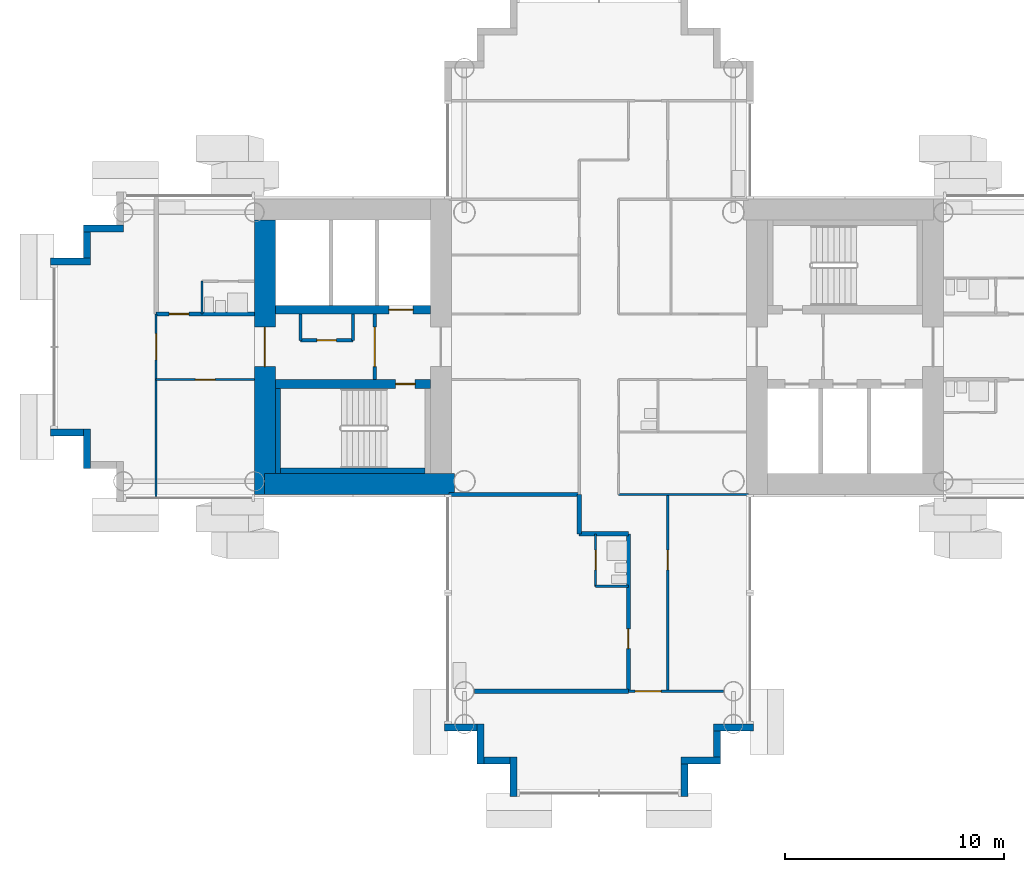
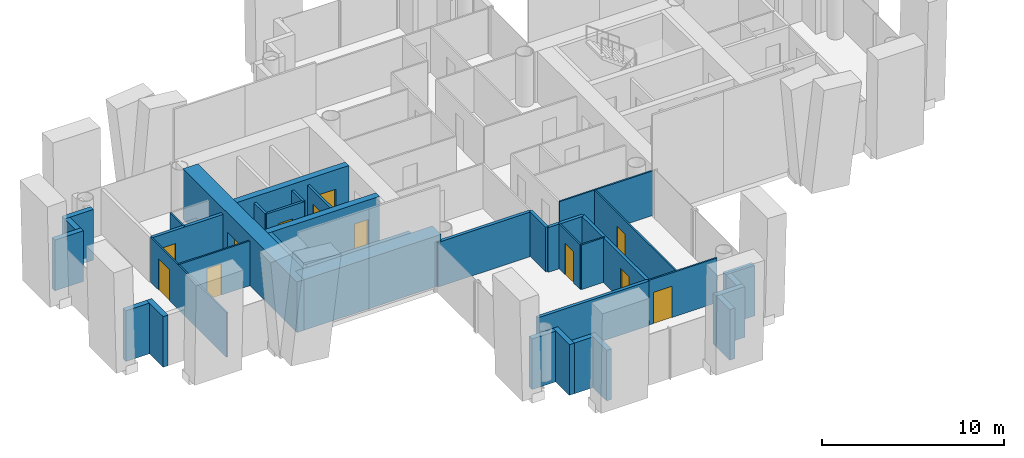
# One storey, part 8 of 20: 37 walls, 12 doors, 12 openings.
"""IFC4 building model written with IfcOpenShell, lengths in metres."""

from ifc_helpers import new_model, si_unit, direction, frame, frame_2d, origin, place, context, subcontext, project, spatial, rectangle, extrude, material, layer, layer_set, type_object, element, fill, save


model = new_model("IFC4")

# Units and contexts
model_context = context("Model", 3, precision=1e-05, world=origin(), true_north=direction((0.0, 1.0)))
body_context = subcontext(model_context, "Body", "Model", "MODEL_VIEW")
ifc_project = project(units=[si_unit("LENGTHUNIT", "METRE"), si_unit("AREAUNIT", "SQUARE_METRE"), si_unit("VOLUMEUNIT", "CUBIC_METRE"), si_unit("PLANEANGLEUNIT", "RADIAN"), si_unit("MASSUNIT", "GRAM", prefix="KILO")], contexts=[model_context])

# Site, building, storey
site_placement = place(None, origin())
site = spatial("IfcSite", under=ifc_project, at=site_placement, CompositionType="ELEMENT")
building_placement = place(site_placement, origin())
building = spatial("IfcBuilding", under=site, at=building_placement, Name="Ipe Terrace Towers", CompositionType="ELEMENT")
storey_placement = place(building_placement, frame((0.0, 0.0, 100.39990234375)))
storey = spatial("IfcBuildingStorey", under=building, at=storey_placement, Name="L27", CompositionType="ELEMENT", Elevation=100.39990234375)

# Walls
ifc_material_1 = material(Name="Concrete C40/50 with buff precast cladding", Category="concrete")
ifc_layer_1 = layer(ifc_material_1, 0.320068359375)
ifc_layer_set_1 = layer_set([ifc_layer_1], Name="BUFF CLADDING WALL 320")
wall_type_1 = type_object("IfcWallType", Name="BUFF CLADDING WALL 320", PredefinedType="STANDARD", material=ifc_layer_set_1)
wall_1_placement = place(storey_placement, frame((-61.070068359375, -3.909912109375, -0.2998046875), z_axis=(0.0, 0.0, 1.0), x_axis=(1.0, 0.0, 0.0)))
element("IfcWall", 1, at=wall_1_placement, inside=storey, type_object=wall_type_1, Name="T1-W-L27-00a wall", PredefinedType="STANDARD", context=body_context, shape_type="SweptSolid", body=[
    extrude(rectangle(XDim=1.5, YDim=0.320068359375, at=frame_2d((0.75, 0.0))), origin(), (0.0, 0.0, 1.0), 3.39990234375),
])
wall_2_placement = place(storey_placement, frame((-59.409912109375, -3.75, -0.2998046875), z_axis=(0.0, 0.0, 1.0), x_axis=(0.0, -1.0, 0.0)))
element("IfcWall", 2, at=wall_2_placement, inside=storey, type_object=wall_type_1, Name="T1-W-L27-01a wall", PredefinedType="STANDARD", context=body_context, shape_type="SweptSolid", body=[
    extrude(rectangle(XDim=1.820068359375, YDim=0.320068359375, at=frame_2d((0.91015625, 0.0))), origin(), (0.0, 0.0, 1.0), 3.39990234375),
])
wall_3_placement = place(storey_placement, frame((-43.070068359375, -17.409912109375, -0.2998046875), z_axis=(0.0, 0.0, 1.0), x_axis=(1.0, 0.0, 0.0)))
element("IfcWall", 3, at=wall_3_placement, inside=storey, type_object=wall_type_1, Name="T1-W-L27-08a wall", PredefinedType="STANDARD", context=body_context, shape_type="SweptSolid", body=[
    extrude(rectangle(XDim=1.5, YDim=0.320068359375, at=frame_2d((0.75, 0.0))), origin(), (0.0, 0.0, 1.0), 3.39990234375),
])
wall_4_placement = place(storey_placement, frame((-41.409912109375, -17.25, -0.2998046875), z_axis=(0.0, 0.0, 1.0), x_axis=(0.0, -1.0, 0.0)))
element("IfcWall", 4, at=wall_4_placement, inside=storey, type_object=wall_type_1, Name="T1-W-L27-09a wall", PredefinedType="STANDARD", context=body_context, shape_type="SweptSolid", body=[
    extrude(rectangle(XDim=1.820068359375, YDim=0.320068359375, at=frame_2d((0.91015625, 0.0))), origin(), (0.0, 0.0, 1.0), 3.39990234375),
])
wall_5_placement = place(storey_placement, frame((-41.25, -18.909912109375, -0.2998046875), z_axis=(0.0, 0.0, 1.0), x_axis=(1.0, 0.0, 0.0)))
element("IfcWall", 5, at=wall_5_placement, inside=storey, type_object=wall_type_1, Name="T1-W-L27-10a wall", PredefinedType="STANDARD", context=body_context, shape_type="SweptSolid", body=[
    extrude(rectangle(XDim=1.179931640625, YDim=0.320068359375, at=frame_2d((0.58984375, 0.0))), origin(), (0.0, 0.0, 1.0), 3.39990234375),
])
wall_6_placement = place(storey_placement, frame((-39.909912109375, -18.75, -0.2998046875), z_axis=(0.0, 0.0, 1.0), x_axis=(0.0, -1.0, 0.0)))
element("IfcWall", 6, at=wall_6_placement, inside=storey, type_object=wall_type_1, Name="T1-W-L27-11a wall", PredefinedType="STANDARD", context=body_context, shape_type="SweptSolid", body=[
    extrude(rectangle(XDim=1.820068359375, YDim=0.320068359375, at=frame_2d((0.91015625, 0.0))), origin(), (0.0, 0.0, 1.0), 3.39990234375),
])
wall_7_placement = place(storey_placement, frame((-32.090087890625, -20.570068359375, -0.2998046875), z_axis=(0.0, 0.0, 1.0), x_axis=(0.0, 1.0, 0.0)))
element("IfcWall", 7, at=wall_7_placement, inside=storey, type_object=wall_type_1, Name="T1-W-L27-13a wall", PredefinedType="STANDARD", context=body_context, shape_type="SweptSolid", body=[
    extrude(rectangle(XDim=1.5, YDim=0.320068359375, at=frame_2d((0.75, 0.0))), origin(), (0.0, 0.0, 1.0), 3.39990234375),
])
wall_8_placement = place(storey_placement, frame((-32.25, -18.909912109375, -0.2998046875), z_axis=(0.0, 0.0, 1.0), x_axis=(1.0, 0.0, 0.0)))
element("IfcWall", 8, at=wall_8_placement, inside=storey, type_object=wall_type_1, Name="T1-W-L27-14a wall", PredefinedType="STANDARD", context=body_context, shape_type="SweptSolid", body=[
    extrude(rectangle(XDim=1.820068359375, YDim=0.320068359375, at=frame_2d((0.91015625, 0.0))), origin(), (0.0, 0.0, 1.0), 3.39990234375),
])
wall_9_placement = place(storey_placement, frame((-30.590087890625, -18.75, -0.2998046875), z_axis=(0.0, 0.0, 1.0), x_axis=(0.0, 1.0, 0.0)))
element("IfcWall", 9, at=wall_9_placement, inside=storey, type_object=wall_type_1, Name="T1-W-L27-15a wall", PredefinedType="STANDARD", context=body_context, shape_type="SweptSolid", body=[
    extrude(rectangle(XDim=1.179931640625, YDim=0.320068359375, at=frame_2d((0.58984375, 0.0))), origin(), (0.0, 0.0, 1.0), 3.39990234375),
])
for number, where, z_axis, x_axis, name in (
    (10, (-30.75, -17.409912109375, -0.2998046875), (0.0, 0.0, 1.0), (1.0, 0.0, 0.0), "T1-W-L27-16a wall"),
    (11, (-57.75, 5.409912109375, -0.2998046875), (0.0, 0.0, 1.0), (-1.0, 0.0, 0.0), "T1-W-L27-48a wall"),
):
    element("IfcWall", number, at=place(storey_placement, frame(where, z_axis=z_axis, x_axis=x_axis)), inside=storey, type_object=wall_type_1, Name=name, PredefinedType="STANDARD", context=body_context, shape_type="SweptSolid", body=[
        extrude(rectangle(XDim=1.820068359375, YDim=0.320068359375, at=frame_2d((0.91015625, 0.0))), origin(), (0.0, 0.0, 1.0), 3.39990234375),
    ])
wall_10_placement = place(storey_placement, frame((-59.409912109375, 5.25, -0.2998046875), z_axis=(0.0, 0.0, 1.0), x_axis=(0.0, -1.0, 0.0)))
element("IfcWall", 12, at=wall_10_placement, inside=storey, type_object=wall_type_1, Name="T1-W-L27-49a wall", PredefinedType="STANDARD", context=body_context, shape_type="SweptSolid", body=[
    extrude(rectangle(XDim=1.179931640625, YDim=0.320068359375, at=frame_2d((0.58984375, 0.0))), origin(), (0.0, 0.0, 1.0), 3.39990234375),
])
wall_11_placement = place(storey_placement, frame((-59.25, 3.909912109375, -0.2998046875), z_axis=(0.0, 0.0, 1.0), x_axis=(-1.0, 0.0, 0.0)))
element("IfcWall", 13, at=wall_11_placement, inside=storey, type_object=wall_type_1, Name="T1-W-L27-50a wall", PredefinedType="STANDARD", context=body_context, shape_type="SweptSolid", body=[
    extrude(rectangle(XDim=1.820068359375, YDim=0.320068359375, at=frame_2d((0.91015625, 0.0))), origin(), (0.0, 0.0, 1.0), 3.39990234375),
])

# Wall, opening, door
ifc_material_2 = material(Name="Gypsum board partition", Category="plasterboard")
ifc_layer_2 = layer(ifc_material_2, 0.10009765625)
ifc_layer_set_2 = layer_set([ifc_layer_2], Name="Gypsum board partition 100 mm")
wall_type_2 = type_object("IfcWallType", Name="Gypsum board partition 100 mm", PredefinedType="PARTITIONING", material=ifc_layer_set_2)
wall_12_placement = place(storey_placement, frame((-56.25, -6.85009765625, 0.0), z_axis=(0.0, 0.0, 1.0), x_axis=(0.0, 1.0, 0.0)))
wall_12 = element("IfcWall", 14, at=wall_12_placement, inside=storey, type_object=wall_type_2, Name="Gypsum board partition T1 L27 W01", PredefinedType="PARTITIONING", context=body_context, shape_type="SweptSolid", body=[
    extrude(rectangle(XDim=8.35009765625, YDim=0.10009765625, at=frame_2d((4.175048828125, 0.0))), origin(), (0.0, 0.0, 1.0), 3.0),
])
opening_1_placement = place(wall_12_placement, frame((6.25, 0.0, 0.0)))
opening_1 = element("IfcOpeningElement", 15, at=opening_1_placement, cuts=wall_12, Name="Opening T1-Z2E-25", PredefinedType="OPENING", context=body_context, shape_type="SweptSolid", body=[
    extrude(rectangle(XDim=1.199951171875, YDim=2.10009765625, at=frame_2d((0.60009765625, 1.050048828125))), frame((0.0, 0.06005859375, 0.0), z_axis=(0.0, -1.0, 0.0), x_axis=(1.0, 0.0, 0.0)), (0.0, 0.0, 1.0), 0.1201171875),
])
ifc_material_3 = material(Name="Timber door leaf", Category="wood")
door_type_1 = type_object("IfcDoorType", Name="Lounge door 1200 x 2100", OperationType="NOTDEFINED", PredefinedType="DOOR", material=ifc_material_3)
door_1_placement = place(opening_1_placement, origin())
door_1 = element("IfcDoor", 16, at=door_1_placement, inside=storey, type_object=door_type_1, Name="Lounge door T1-Z2E-25", OperationType="SINGLE_SWING_LEFT", OverallHeight=2.10009765625, OverallWidth=1.199951171875, PredefinedType="DOOR", context=body_context, shape_type="SweptSolid", body=[
    extrude(rectangle(XDim=1.199951171875, YDim=2.10009765625, at=frame_2d((0.60009765625, 1.050048828125))), frame((0.0, 0.02490234375, 0.0), z_axis=(0.0, -1.0, 0.0), x_axis=(1.0, 0.0, 0.0)), (0.0, 0.0, 1.0), 0.050048828125),
])
fill(opening_1, door_1)

# Wall
wall_13_placement = place(storey_placement, frame((-54.14990234375, 1.5, 0.0), z_axis=(0.0, 0.0, 1.0), x_axis=(0.0, 1.0, 0.0)))
element("IfcWall", 17, at=wall_13_placement, inside=storey, type_object=wall_type_2, Name="Gypsum board partition T1 L27 W03", PredefinedType="PARTITIONING", context=body_context, shape_type="SweptSolid", body=[
    extrude(rectangle(XDim=1.5, YDim=0.10009765625, at=frame_2d((0.75, 0.0))), origin(), (0.0, 0.0, 1.0), 3.0),
])

# Wall, opening, door
wall_14_placement = place(storey_placement, frame((-36.14990234375, -10.949951171875, 0.0), z_axis=(0.0, 0.0, 1.0), x_axis=(0.0, 1.0, 0.0)))
wall_14 = element("IfcWall", 18, at=wall_14_placement, inside=storey, type_object=wall_type_2, Name="Gypsum board partition T1 L27 W07", PredefinedType="PARTITIONING", context=body_context, shape_type="SweptSolid", body=[
    extrude(rectangle(XDim=2.39990234375, YDim=0.10009765625, at=frame_2d((1.199951171875, 0.0))), origin(), (0.0, 0.0, 1.0), 3.0),
])
opening_2_placement = place(wall_14_placement, frame((0.75, 0.0, 0.0)))
opening_2 = element("IfcOpeningElement", 19, at=opening_2_placement, cuts=wall_14, Name="Opening T1-Z2E-14", PredefinedType="OPENING", context=body_context, shape_type="SweptSolid", body=[
    extrude(rectangle(XDim=0.89990234375, YDim=2.10009765625, at=frame_2d((0.449951171875, 1.050048828125))), frame((0.0, 0.06005859375, 0.0), z_axis=(0.0, -1.0, 0.0), x_axis=(1.0, 0.0, 0.0)), (0.0, 0.0, 1.0), 0.1201171875),
])
ifc_material_4 = material(Name="Timber door leaf", Category="wood")
door_type_2 = type_object("IfcDoorType", Name="Bathroom door 900 x 2100", OperationType="NOTDEFINED", PredefinedType="DOOR", material=ifc_material_4)
door_2_placement = place(opening_2_placement, origin())
door_2 = element("IfcDoor", 20, at=door_2_placement, inside=storey, type_object=door_type_2, Name="Bathroom door T1-Z2E-14", OperationType="SINGLE_SWING_RIGHT", OverallHeight=2.10009765625, OverallWidth=0.89990234375, PredefinedType="DOOR", context=body_context, shape_type="SweptSolid", body=[
    extrude(rectangle(XDim=0.89990234375, YDim=2.10009765625, at=frame_2d((0.449951171875, 1.050048828125))), frame((0.0, 0.02490234375, 0.0), z_axis=(0.0, -1.0, 0.0), x_axis=(1.0, 0.0, 0.0)), (0.0, 0.0, 1.0), 0.050048828125),
])
fill(opening_2, door_2)

wall_15_placement = place(storey_placement, frame((-32.85009765625, -15.75, 0.0), z_axis=(0.0, 0.0, 1.0), x_axis=(0.0, 1.0, 0.0)))
wall_15 = element("IfcWall", 21, at=wall_15_placement, inside=storey, type_object=wall_type_2, Name="Gypsum board partition T1 L27 W13", PredefinedType="PARTITIONING", context=body_context, shape_type="SweptSolid", body=[
    extrude(rectangle(XDim=9.0, YDim=0.10009765625, at=frame_2d((4.5, 0.0))), origin(), (0.0, 0.0, 1.0), 3.0),
])
opening_3_placement = place(wall_15_placement, frame((5.550048828125, 0.0, 0.0)))
opening_3 = element("IfcOpeningElement", 22, at=opening_3_placement, cuts=wall_15, Name="Opening T1-Z2E-12", PredefinedType="OPENING", context=body_context, shape_type="SweptSolid", body=[
    extrude(rectangle(XDim=0.89990234375, YDim=2.10009765625, at=frame_2d((0.449951171875, 1.050048828125))), frame((0.0, 0.06005859375, 0.0), z_axis=(0.0, -1.0, 0.0), x_axis=(1.0, 0.0, 0.0)), (0.0, 0.0, 1.0), 0.1201171875),
])
ifc_material_5 = material(Name="Timber door leaf", Category="wood")
door_type_3 = type_object("IfcDoorType", Name="Lounge door 900 x 2100", OperationType="NOTDEFINED", PredefinedType="DOOR", material=ifc_material_5)
door_3_placement = place(opening_3_placement, origin())
door_3 = element("IfcDoor", 23, at=door_3_placement, inside=storey, type_object=door_type_3, Name="Lounge door T1-Z2E-12", OperationType="SINGLE_SWING_RIGHT", OverallHeight=2.10009765625, OverallWidth=0.89990234375, PredefinedType="DOOR", context=body_context, shape_type="SweptSolid", body=[
    extrude(rectangle(XDim=0.89990234375, YDim=2.10009765625, at=frame_2d((0.449951171875, 1.050048828125))), frame((0.0, 0.02490234375, 0.0), z_axis=(0.0, -1.0, 0.0), x_axis=(1.0, 0.0, 0.0)), (0.0, 0.0, 1.0), 0.050048828125),
])
fill(opening_3, door_3)

wall_16_placement = place(storey_placement, frame((-34.64990234375, -15.75, 0.0), z_axis=(0.0, 0.0, 1.0), x_axis=(1.0, 0.0, 0.0)))
wall_16 = element("IfcWall", 24, at=wall_16_placement, inside=storey, type_object=wall_type_2, Name="Gypsum board partition T1 L27 W21", PredefinedType="PARTITIONING", context=body_context, shape_type="SweptSolid", body=[
    extrude(rectangle(XDim=4.349853515625, YDim=0.10009765625, at=frame_2d((2.1748046875, 0.0))), origin(), (0.0, 0.0, 1.0), 3.0),
])
opening_4_placement = place(wall_16_placement, frame((0.300048828125, 0.0, 0.0)))
opening_4 = element("IfcOpeningElement", 25, at=opening_4_placement, cuts=wall_16, Name="Opening T1-Z2E-15", PredefinedType="OPENING", context=body_context, shape_type="SweptSolid", body=[
    extrude(rectangle(XDim=1.199951171875, YDim=2.10009765625, at=frame_2d((0.60009765625, 1.050048828125))), frame((0.0, 0.06005859375, 0.0), z_axis=(0.0, -1.0, 0.0), x_axis=(1.0, 0.0, 0.0)), (0.0, 0.0, 1.0), 0.1201171875),
])
door_4_placement = place(opening_4_placement, origin())
door_4 = element("IfcDoor", 26, at=door_4_placement, inside=storey, type_object=door_type_1, Name="Lounge door T1-Z2E-15", OperationType="SINGLE_SWING_LEFT", OverallHeight=2.10009765625, OverallWidth=1.199951171875, PredefinedType="DOOR", context=body_context, shape_type="SweptSolid", body=[
    extrude(rectangle(XDim=1.199951171875, YDim=2.10009765625, at=frame_2d((0.60009765625, 1.050048828125))), frame((0.0, 0.02490234375, 0.0), z_axis=(0.0, -1.0, 0.0), x_axis=(1.0, 0.0, 0.0)), (0.0, 0.0, 1.0), 0.050048828125),
])
fill(opening_4, door_4)

# Walls
wall_17_placement = place(storey_placement, frame((-36.14990234375, -10.949951171875, 0.0), z_axis=(0.0, 0.0, 1.0), x_axis=(1.0, 0.0, 0.0)))
element("IfcWall", 27, at=wall_17_placement, inside=storey, type_object=wall_type_2, Name="Gypsum board partition T1 L27 W23", PredefinedType="PARTITIONING", context=body_context, shape_type="SweptSolid", body=[
    extrude(rectangle(XDim=1.5, YDim=0.10009765625, at=frame_2d((0.75, 0.0))), origin(), (0.0, 0.0, 1.0), 3.0),
])
wall_18_placement = place(storey_placement, frame((-35.10009765625, -6.75, 0.0), z_axis=(0.0, 0.0, 1.0), x_axis=(1.0, 0.0, 0.0)))
element("IfcWall", 28, at=wall_18_placement, inside=storey, type_object=wall_type_2, Name="Gypsum board partition T1 L27 W25", PredefinedType="PARTITIONING", context=body_context, shape_type="SweptSolid", body=[
    extrude(rectangle(XDim=5.9501953125, YDim=0.10009765625, at=frame_2d((2.97509765625, 0.0))), origin(), (0.0, 0.0, 1.0), 3.0),
])

# Wall, opening, door
wall_19_placement = place(storey_placement, frame((-56.25, -1.5, 0.0), z_axis=(0.0, 0.0, 1.0), x_axis=(1.0, 0.0, 0.0)))
wall_19 = element("IfcWall", 29, at=wall_19_placement, inside=storey, type_object=wall_type_2, Name="Gypsum board partition T1 L27 W29", PredefinedType="PARTITIONING", context=body_context, shape_type="SweptSolid", body=[
    extrude(rectangle(XDim=4.5, YDim=0.10009765625, at=frame_2d((2.25, 0.0))), origin(), (0.0, 0.0, 1.0), 3.0),
])
opening_5_placement = place(wall_19_placement, frame((1.800048828125, 0.0, 0.0)))
opening_5 = element("IfcOpeningElement", 30, at=opening_5_placement, cuts=wall_19, Name="Opening T1-Z2E-22", PredefinedType="OPENING", context=body_context, shape_type="SweptSolid", body=[
    extrude(rectangle(XDim=0.89990234375, YDim=2.10009765625, at=frame_2d((0.449951171875, 1.050048828125))), frame((0.0, 0.06005859375, 0.0), z_axis=(0.0, -1.0, 0.0), x_axis=(1.0, 0.0, 0.0)), (0.0, 0.0, 1.0), 0.1201171875),
])
door_5_placement = place(opening_5_placement, origin())
door_5 = element("IfcDoor", 31, at=door_5_placement, inside=storey, type_object=door_type_3, Name="Lounge door T1-Z2E-22", OperationType="SINGLE_SWING_RIGHT", OverallHeight=2.10009765625, OverallWidth=0.89990234375, PredefinedType="DOOR", context=body_context, shape_type="SweptSolid", body=[
    extrude(rectangle(XDim=0.89990234375, YDim=2.10009765625, at=frame_2d((0.449951171875, 1.050048828125))), frame((0.0, 0.02490234375, 0.0), z_axis=(0.0, -1.0, 0.0), x_axis=(1.0, 0.0, 0.0)), (0.0, 0.0, 1.0), 0.050048828125),
])
fill(opening_5, door_5)

ifc_material_6 = material(Name="Gypsum board partition", Category="plasterboard")
ifc_layer_3 = layer(ifc_material_6, 0.14990234375)
ifc_layer_set_3 = layer_set([ifc_layer_3], Name="Gypsum board partition 150 mm")
wall_type_3 = type_object("IfcWallType", Name="Gypsum board partition 150 mm", PredefinedType="PARTITIONING", material=ifc_layer_set_3)
wall_20_placement = place(storey_placement, frame((-46.25, 1.5, 0.0), z_axis=(0.0, 0.0, 1.0), x_axis=(0.0, -1.0, 0.0)))
wall_20 = element("IfcWall", 32, at=wall_20_placement, inside=storey, type_object=wall_type_3, Name="Gypsum board partition T1 L27 t1c2-lobby-wall", PredefinedType="PARTITIONING", context=body_context, shape_type="SweptSolid", body=[
    extrude(rectangle(XDim=3.0, YDim=0.14990234375, at=frame_2d((1.5, 0.0))), origin(), (0.0, 0.0, 1.0), 3.0),
])
opening_6_placement = place(wall_20_placement, frame((0.60009765625, 0.0, 0.0)))
opening_6 = element("IfcOpeningElement", 33, at=opening_6_placement, cuts=wall_20, Name="Opening T1C2-VD", PredefinedType="OPENING", context=body_context, shape_type="SweptSolid", body=[
    extrude(rectangle(XDim=1.800048828125, YDim=2.10009765625, at=frame_2d((0.89990234375, 1.050048828125))), frame((0.0, 0.0849609375, 0.0), z_axis=(0.0, -1.0, 0.0), x_axis=(1.0, 0.0, 0.0)), (0.0, 0.0, 1.0), 0.169921875),
])
ifc_material_7 = material(Name="Fire-rated timber door leaf", Category="wood")
door_type_4 = type_object("IfcDoorType", Name="Lobby door 1800 x 2100 FD60", OperationType="NOTDEFINED", PredefinedType="DOOR", material=ifc_material_7)
door_6_placement = place(opening_6_placement, origin())
door_6 = element("IfcDoor", 34, at=door_6_placement, inside=storey, type_object=door_type_4, Name="Lobby door T1C2-VD", OperationType="SINGLE_SWING_LEFT", OverallHeight=2.10009765625, OverallWidth=1.800048828125, PredefinedType="DOOR", context=body_context, shape_type="SweptSolid", body=[
    extrude(rectangle(XDim=1.800048828125, YDim=2.10009765625, at=frame_2d((0.89990234375, 1.050048828125))), frame((0.0, 0.02490234375, 0.0), z_axis=(0.0, -1.0, 0.0), x_axis=(1.0, 0.0, 0.0)), (0.0, 0.0, 1.0), 0.050048828125),
])
fill(opening_6, door_6)

wall_21_placement = place(storey_placement, frame((-47.25, 0.300048828125, 0.0), z_axis=(0.0, 0.0, 1.0), x_axis=(-1.0, 0.0, 0.0)))
wall_21 = element("IfcWall", 35, at=wall_21_placement, inside=storey, type_object=wall_type_3, Name="Gypsum board partition T1 L27 t1c2-cup-s-f", PredefinedType="PARTITIONING", context=body_context, shape_type="SweptSolid", body=[
    extrude(rectangle(XDim=2.39990234375, YDim=0.14990234375, at=frame_2d((1.199951171875, 0.0))), origin(), (0.0, 0.0, 1.0), 3.0),
])
opening_7_placement = place(wall_21_placement, frame((0.75, 0.0, 0.0)))
opening_7 = element("IfcOpeningElement", 36, at=opening_7_placement, cuts=wall_21, Name="Opening T1C2-SC", PredefinedType="OPENING", context=body_context, shape_type="SweptSolid", body=[
    extrude(rectangle(XDim=0.89990234375, YDim=2.10009765625, at=frame_2d((0.449951171875, 1.050048828125))), frame((0.0, 0.0849609375, 0.0), z_axis=(0.0, -1.0, 0.0), x_axis=(1.0, 0.0, 0.0)), (0.0, 0.0, 1.0), 0.169921875),
])
ifc_material_8 = material(Name="Fire-rated timber door leaf", Category="wood")
door_type_5 = type_object("IfcDoorType", Name="Service door 900 x 2100 FD30S", OperationType="NOTDEFINED", PredefinedType="DOOR", material=ifc_material_8)
door_7_placement = place(opening_7_placement, origin())
door_7 = element("IfcDoor", 37, at=door_7_placement, inside=storey, type_object=door_type_5, Name="Service door T1C2-SC", OperationType="SINGLE_SWING_LEFT", OverallHeight=2.10009765625, OverallWidth=0.89990234375, PredefinedType="DOOR", context=body_context, shape_type="SweptSolid", body=[
    extrude(rectangle(XDim=0.89990234375, YDim=2.10009765625, at=frame_2d((0.449951171875, 1.050048828125))), frame((0.0, 0.02490234375, 0.0), z_axis=(0.0, -1.0, 0.0), x_axis=(1.0, 0.0, 0.0)), (0.0, 0.0, 1.0), 0.050048828125),
])
fill(opening_7, door_7)

# Walls
for number, where, z_axis, x_axis, name in (
    (38, (-47.25, 0.300048828125, 0.0), (0.0, 0.0, 1.0), (0.0, 1.0, 0.0), "Gypsum board partition T1 L27 t1c2-cup-s-a"),
    (39, (-49.64990234375, 0.300048828125, 0.0), (0.0, 0.0, 1.0), (0.0, 1.0, 0.0), "Gypsum board partition T1 L27 t1c2-cup-s-b"),
):
    element("IfcWall", number, at=place(storey_placement, frame(where, z_axis=z_axis, x_axis=x_axis)), inside=storey, type_object=wall_type_3, Name=name, PredefinedType="PARTITIONING", context=body_context, shape_type="SweptSolid", body=[
        extrude(rectangle(XDim=1.199951171875, YDim=0.14990234375, at=frame_2d((0.60009765625, 0.0))), origin(), (0.0, 0.0, 1.0), 3.0),
    ])
ifc_material_9 = material(Name="Gypsum board party wall", Category="plasterboard")
ifc_layer_4 = layer(ifc_material_9, 0.199951171875)
ifc_layer_set_4 = layer_set([ifc_layer_4], Name="Gypsum board party wall 200 mm")
wall_type_4 = type_object("IfcWallType", Name="Gypsum board party wall 200 mm", PredefinedType="SOLIDWALL", material=ifc_layer_set_4)
wall_22_placement = place(storey_placement, frame((-36.89990234375, -8.550048828125, 0.0), z_axis=(0.0, 0.0, 1.0), x_axis=(0.0, 1.0, 0.0)))
element("IfcWall", 40, at=wall_22_placement, inside=storey, type_object=wall_type_4, Name="Gypsum board party wall T1 L27 W06", PredefinedType="SOLIDWALL", context=body_context, shape_type="SweptSolid", body=[
    extrude(rectangle(XDim=1.800048828125, YDim=0.199951171875, at=frame_2d((0.89990234375, 0.0))), origin(), (0.0, 0.0, 1.0), 3.0),
])

# Wall, opening, door
wall_23_placement = place(storey_placement, frame((-34.64990234375, -15.75, 0.0), z_axis=(0.0, 0.0, 1.0), x_axis=(0.0, 1.0, 0.0)))
wall_23 = element("IfcWall", 41, at=wall_23_placement, inside=storey, type_object=wall_type_4, Name="Gypsum board party wall T1 L27 W11", PredefinedType="SOLIDWALL", context=body_context, shape_type="SweptSolid", body=[
    extrude(rectangle(XDim=7.199951171875, YDim=0.199951171875, at=frame_2d((3.60009765625, 0.0))), origin(), (0.0, 0.0, 1.0), 3.0),
])
opening_8_placement = place(wall_23_placement, frame((1.949951171875, 0.0, 0.0)))
opening_8 = element("IfcOpeningElement", 42, at=opening_8_placement, cuts=wall_23, Name="Opening T1-Z2E-13", PredefinedType="OPENING", context=body_context, shape_type="SweptSolid", body=[
    extrude(rectangle(XDim=0.89990234375, YDim=2.10009765625, at=frame_2d((0.449951171875, 1.050048828125))), frame((0.0, 0.10986328125, 0.0), z_axis=(0.0, -1.0, 0.0), x_axis=(1.0, 0.0, 0.0)), (0.0, 0.0, 1.0), 0.219970703125),
])
ifc_material_10 = material(Name="Fire-rated timber door leaf", Category="wood")
door_type_6 = type_object("IfcDoorType", Name="Flat entrance door 900 x 2100 FD30S", OperationType="NOTDEFINED", PredefinedType="DOOR", material=ifc_material_10)
door_8_placement = place(opening_8_placement, origin())
door_8 = element("IfcDoor", 43, at=door_8_placement, inside=storey, type_object=door_type_6, Name="Flat entrance door T1-Z2E-13", OperationType="SINGLE_SWING_RIGHT", OverallHeight=2.10009765625, OverallWidth=0.89990234375, PredefinedType="DOOR", context=body_context, shape_type="SweptSolid", body=[
    extrude(rectangle(XDim=0.89990234375, YDim=2.10009765625, at=frame_2d((0.449951171875, 1.050048828125))), frame((0.0, 0.02490234375, 0.0), z_axis=(0.0, -1.0, 0.0), x_axis=(1.0, 0.0, 0.0)), (0.0, 0.0, 1.0), 0.050048828125),
])
fill(opening_8, door_8)

# Walls
wall_24_placement = place(storey_placement, frame((-41.699951171875, -15.75, 0.0), z_axis=(0.0, 0.0, 1.0), x_axis=(1.0, 0.0, 0.0)))
element("IfcWall", 44, at=wall_24_placement, inside=storey, type_object=wall_type_4, Name="Gypsum board party wall T1 L27 W22", PredefinedType="SOLIDWALL", context=body_context, shape_type="SweptSolid", body=[
    extrude(rectangle(XDim=7.050048828125, YDim=0.199951171875, at=frame_2d((3.52490234375, 0.0))), origin(), (0.0, 0.0, 1.0), 3.0),
])
wall_25_placement = place(storey_placement, frame((-36.89990234375, -8.550048828125, 0.0), z_axis=(0.0, 0.0, 1.0), x_axis=(1.0, 0.0, 0.0)))
element("IfcWall", 45, at=wall_25_placement, inside=storey, type_object=wall_type_4, Name="Gypsum board party wall T1 L27 W24", PredefinedType="SOLIDWALL", context=body_context, shape_type="SweptSolid", body=[
    extrude(rectangle(XDim=2.25, YDim=0.199951171875, at=frame_2d((1.125, 0.0))), origin(), (0.0, 0.0, 1.0), 3.0),
])
wall_26_placement = place(storey_placement, frame((-42.85009765625, -6.75, 0.0), z_axis=(0.0, 0.0, 1.0), x_axis=(1.0, 0.0, 0.0)))
element("IfcWall", 46, at=wall_26_placement, inside=storey, type_object=wall_type_4, Name="Gypsum board party wall T1 L27 W26", PredefinedType="SOLIDWALL", context=body_context, shape_type="SweptSolid", body=[
    extrude(rectangle(XDim=5.9501953125, YDim=0.199951171875, at=frame_2d((2.97509765625, 0.0))), origin(), (0.0, 0.0, 1.0), 3.0),
])

# Wall, opening, door
wall_27_placement = place(storey_placement, frame((-56.25, 1.5, 0.0), z_axis=(0.0, 0.0, 1.0), x_axis=(1.0, 0.0, 0.0)))
wall_27 = element("IfcWall", 47, at=wall_27_placement, inside=storey, type_object=wall_type_4, Name="Gypsum board party wall T1 L27 W35", PredefinedType="SOLIDWALL", context=body_context, shape_type="SweptSolid", body=[
    extrude(rectangle(XDim=4.5, YDim=0.199951171875, at=frame_2d((2.25, 0.0))), origin(), (0.0, 0.0, 1.0), 3.0),
])
opening_9_placement = place(wall_27_placement, frame((0.60009765625, 0.0, 0.0)))
opening_9 = element("IfcOpeningElement", 48, at=opening_9_placement, cuts=wall_27, Name="Opening T1-Z2E-23", PredefinedType="OPENING", context=body_context, shape_type="SweptSolid", body=[
    extrude(rectangle(XDim=0.89990234375, YDim=2.10009765625, at=frame_2d((0.449951171875, 1.050048828125))), frame((0.0, 0.10986328125, 0.0), z_axis=(0.0, -1.0, 0.0), x_axis=(1.0, 0.0, 0.0)), (0.0, 0.0, 1.0), 0.219970703125),
])
door_9_placement = place(opening_9_placement, origin())
door_9 = element("IfcDoor", 49, at=door_9_placement, inside=storey, type_object=door_type_6, Name="Flat entrance door T1-Z2E-23", OperationType="SINGLE_SWING_RIGHT", OverallHeight=2.10009765625, OverallWidth=0.89990234375, PredefinedType="DOOR", context=body_context, shape_type="SweptSolid", body=[
    extrude(rectangle(XDim=0.89990234375, YDim=2.10009765625, at=frame_2d((0.449951171875, 1.050048828125))), frame((0.0, 0.02490234375, 0.0), z_axis=(0.0, -1.0, 0.0), x_axis=(1.0, 0.0, 0.0)), (0.0, 0.0, 1.0), 0.050048828125),
])
fill(opening_9, door_9)

# Walls
ifc_material_11 = material(Name="Concrete C50/60", Category="concrete")
ifc_layer_5 = layer(ifc_material_11, 0.25)
ifc_layer_set_5 = layer_set([ifc_layer_5], Name="RW250 CORE INFILL WALL 250 C50-60")
wall_type_5 = type_object("IfcWallType", Name="RW250 CORE INFILL WALL 250 C50-60", PredefinedType="SHEAR", material=ifc_layer_set_5)
wall_28_placement = place(storey_placement, frame((-50.675048828125, -1.89990234375, 0.0), z_axis=(0.0, 0.0, 1.0), x_axis=(0.0, -1.0, 0.0)))
element("IfcWall", 50, at=wall_28_placement, inside=storey, type_object=wall_type_5, Name="Core infill wall T1-C2-far", PredefinedType="SHEAR", context=body_context, shape_type="SweptSolid", body=[
    extrude(rectangle(XDim=3.900146484375, YDim=0.25, at=frame_2d((1.9501953125, 0.0))), origin(), (0.0, 0.0, 1.0), 3.400146484375),
])
wall_29_placement = place(storey_placement, frame((-43.949951171875, -5.675048828125, 0.0), z_axis=(0.0, 0.0, 1.0), x_axis=(-1.0, 0.0, 0.0)))
element("IfcWall", 51, at=wall_29_placement, inside=storey, type_object=wall_type_5, Name="Core infill wall T1-C2-back", PredefinedType="SHEAR", context=body_context, shape_type="SweptSolid", body=[
    extrude(rectangle(XDim=6.60009765625, YDim=0.25, at=frame_2d((3.300048828125, 0.0))), origin(), (0.0, 0.0, 1.0), 3.400146484375),
])

# Wall, opening, door
ifc_material_12 = material(Name="Concrete C50/60", Category="concrete")
ifc_layer_6 = layer(ifc_material_12, 0.39990234375)
ifc_layer_set_6 = layer_set([ifc_layer_6], Name="RW400 CORE SPINE WALL 400 C50-60")
wall_type_6 = type_object("IfcWallType", Name="RW400 CORE SPINE WALL 400 C50-60", PredefinedType="SHEAR", material=ifc_layer_set_6)
wall_30_placement = place(storey_placement, frame((-50.800048828125, -1.699951171875, 0.0), z_axis=(0.0, 0.0, 1.0), x_axis=(1.0, 0.0, 0.0)))
wall_30 = element("IfcWall", 52, at=wall_30_placement, inside=storey, type_object=wall_type_6, Name="Core spine wall T1-C2-Z2-SW1", PredefinedType="SHEAR", context=body_context, shape_type="SweptSolid", body=[
    extrude(rectangle(XDim=7.10009765625, YDim=0.39990234375, at=frame_2d((3.550048828125, 0.0))), origin(), (0.0, 0.0, 1.0), 3.400146484375),
])
opening_10_placement = place(wall_30_placement, frame((5.5, 0.0, 0.0)))
opening_10 = element("IfcOpeningElement", 53, at=opening_10_placement, cuts=wall_30, Name="Opening T1C2-SD", PredefinedType="OPENING", context=body_context, shape_type="SweptSolid", body=[
    extrude(rectangle(XDim=0.89990234375, YDim=2.10009765625, at=frame_2d((0.449951171875, 1.050048828125))), frame((0.0, 0.2099609375, 0.0), z_axis=(0.0, -1.0, 0.0), x_axis=(1.0, 0.0, 0.0)), (0.0, 0.0, 1.0), 0.419921875),
])
ifc_material_13 = material(Name="Fire-rated timber door leaf", Category="wood")
door_type_7 = type_object("IfcDoorType", Name="Stair door 900 x 2100 FD60", OperationType="NOTDEFINED", PredefinedType="DOOR", material=ifc_material_13)
door_10_placement = place(opening_10_placement, origin())
door_10 = element("IfcDoor", 54, at=door_10_placement, inside=storey, type_object=door_type_7, Name="Stair door T1C2-SD", OperationType="SINGLE_SWING_RIGHT", OverallHeight=2.10009765625, OverallWidth=0.89990234375, PredefinedType="DOOR", context=body_context, shape_type="SweptSolid", body=[
    extrude(rectangle(XDim=0.89990234375, YDim=2.10009765625, at=frame_2d((0.449951171875, 1.050048828125))), frame((0.0, 0.02490234375, 0.0), z_axis=(0.0, -1.0, 0.0), x_axis=(1.0, 0.0, 0.0)), (0.0, 0.0, 1.0), 0.050048828125),
])
fill(opening_10, door_10)

wall_31_placement = place(storey_placement, frame((-50.800048828125, 1.699951171875, 0.0), z_axis=(0.0, 0.0, 1.0), x_axis=(1.0, 0.0, 0.0)))
wall_31 = element("IfcWall", 55, at=wall_31_placement, inside=storey, type_object=wall_type_6, Name="Core spine wall T1-C2-Z2-SW2", PredefinedType="SHEAR", context=body_context, shape_type="SweptSolid", body=[
    extrude(rectangle(XDim=7.10009765625, YDim=0.39990234375, at=frame_2d((3.550048828125, 0.0))), origin(), (0.0, 0.0, 1.0), 3.400146484375),
])
opening_11_placement = place(wall_31_placement, frame((5.199951171875, 0.0, 0.0)))
opening_11 = element("IfcOpeningElement", 56, at=opening_11_placement, cuts=wall_31, Name="Opening T1C2-LD1", PredefinedType="OPENING", context=body_context, shape_type="SweptSolid", body=[
    extrude(rectangle(XDim=1.10009765625, YDim=2.10009765625, at=frame_2d((0.550048828125, 1.050048828125))), frame((0.0, 0.2099609375, 0.0), z_axis=(0.0, -1.0, 0.0), x_axis=(1.0, 0.0, 0.0)), (0.0, 0.0, 1.0), 0.419921875),
])
ifc_material_14 = material(Name="Fire-rated timber door leaf", Category="wood")
door_type_8 = type_object("IfcDoorType", Name="Sliding door 1100 x 2100 FD60", OperationType="SLIDING_TO_LEFT", PredefinedType="DOOR", material=ifc_material_14)
door_11_placement = place(opening_11_placement, origin())
door_11 = element("IfcDoor", 57, at=door_11_placement, inside=storey, type_object=door_type_8, Name="Sliding door T1C2-LD1", OperationType="SLIDING_TO_LEFT", OverallHeight=2.10009765625, OverallWidth=1.10009765625, PredefinedType="DOOR", context=body_context, shape_type="SweptSolid", body=[
    extrude(rectangle(XDim=1.10009765625, YDim=2.10009765625, at=frame_2d((0.550048828125, 1.050048828125))), frame((0.0, 0.02490234375, 0.0), z_axis=(0.0, -1.0, 0.0), x_axis=(1.0, 0.0, 0.0)), (0.0, 0.0, 1.0), 0.050048828125),
])
fill(opening_11, door_11)

# Wall
ifc_material_15 = material(Name="Concrete C50/60", Category="concrete")
ifc_layer_7 = layer(ifc_material_15, 0.949951171875)
ifc_layer_set_7 = layer_set([ifc_layer_7], Name="RW950 CORE WALL 950 C50-60")
wall_type_7 = type_object("IfcWallType", Name="RW950 CORE WALL 950 C50-60", PredefinedType="SHEAR", material=ifc_layer_set_7)
wall_32_placement = place(storey_placement, frame((-51.298095703125, -6.27490234375, 0.0), z_axis=(0.0, 0.0, 1.0), x_axis=(1.0, 0.0, 0.0)))
element("IfcWall", 58, at=wall_32_placement, inside=storey, type_object=wall_type_7, Name="Core wall T1-C2-Z2-W01", PredefinedType="SHEAR", context=body_context, shape_type="SweptSolid", body=[
    extrude(rectangle(XDim=8.696044921875, YDim=0.949951171875, at=frame_2d((4.34814453125, 0.0))), origin(), (0.0, 0.0, 1.0), 3.400146484375),
])

# Wall, opening, door
wall_33_placement = place(storey_placement, frame((-51.27490234375, 5.800048828125, 0.0), z_axis=(0.0, 0.0, 1.0), x_axis=(0.0, -1.0, 0.0)))
wall_33 = element("IfcWall", 59, at=wall_33_placement, inside=storey, type_object=wall_type_7, Name="Core wall T1-C2-Z2-W04", PredefinedType="SHEAR", context=body_context, shape_type="SweptSolid", body=[
    extrude(rectangle(XDim=12.550048828125, YDim=0.949951171875, at=frame_2d((6.27490234375, 0.0))), origin(), (0.0, 0.0, 1.0), 3.400146484375),
])
opening_12_placement = place(wall_33_placement, frame((4.89990234375, 0.0, 0.0)))
opening_12 = element("IfcOpeningElement", 60, at=opening_12_placement, cuts=wall_33, Name="Opening T1C2-FD", PredefinedType="OPENING", context=body_context, shape_type="SweptSolid", body=[
    extrude(rectangle(XDim=1.800048828125, YDim=2.10009765625, at=frame_2d((0.89990234375, 1.050048828125))), frame((0.0, 0.48486328125, 0.0), z_axis=(0.0, -1.0, 0.0), x_axis=(1.0, 0.0, 0.0)), (0.0, 0.0, 1.0), 0.969970703125),
])
ifc_material_16 = material(Name="Fire-rated timber door leaf", Category="wood")
door_type_9 = type_object("IfcDoorType", Name="Fire door 1800 x 2100 FD30S", OperationType="NOTDEFINED", PredefinedType="DOOR", material=ifc_material_16)
door_12_placement = place(opening_12_placement, origin())
door_12 = element("IfcDoor", 61, at=door_12_placement, inside=storey, type_object=door_type_9, Name="Fire door T1C2-FD", OperationType="SINGLE_SWING_LEFT", OverallHeight=2.10009765625, OverallWidth=1.800048828125, PredefinedType="DOOR", context=body_context, shape_type="SweptSolid", body=[
    extrude(rectangle(XDim=1.800048828125, YDim=2.10009765625, at=frame_2d((0.89990234375, 1.050048828125))), frame((0.0, 0.02490234375, 0.0), z_axis=(0.0, -1.0, 0.0), x_axis=(1.0, 0.0, 0.0)), (0.0, 0.0, 1.0), 0.050048828125),
])
fill(opening_12, door_12)

save(model, "model.ifc")
